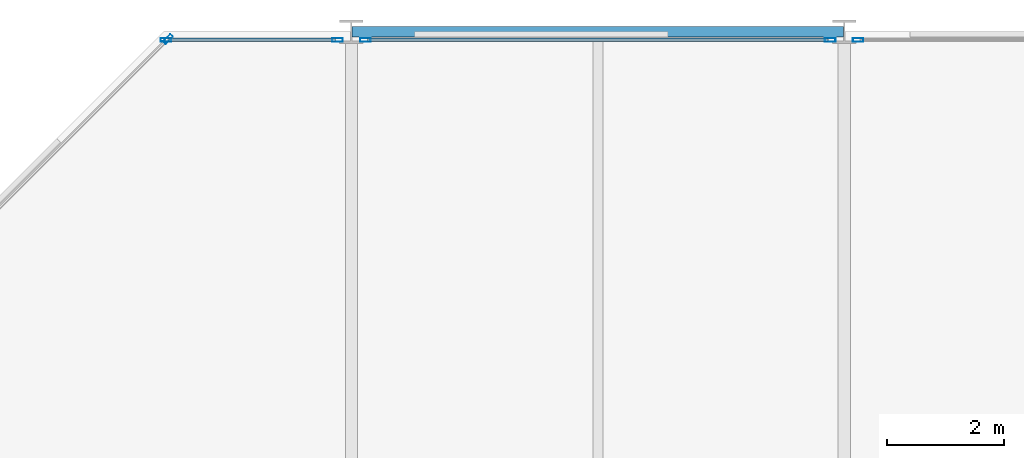
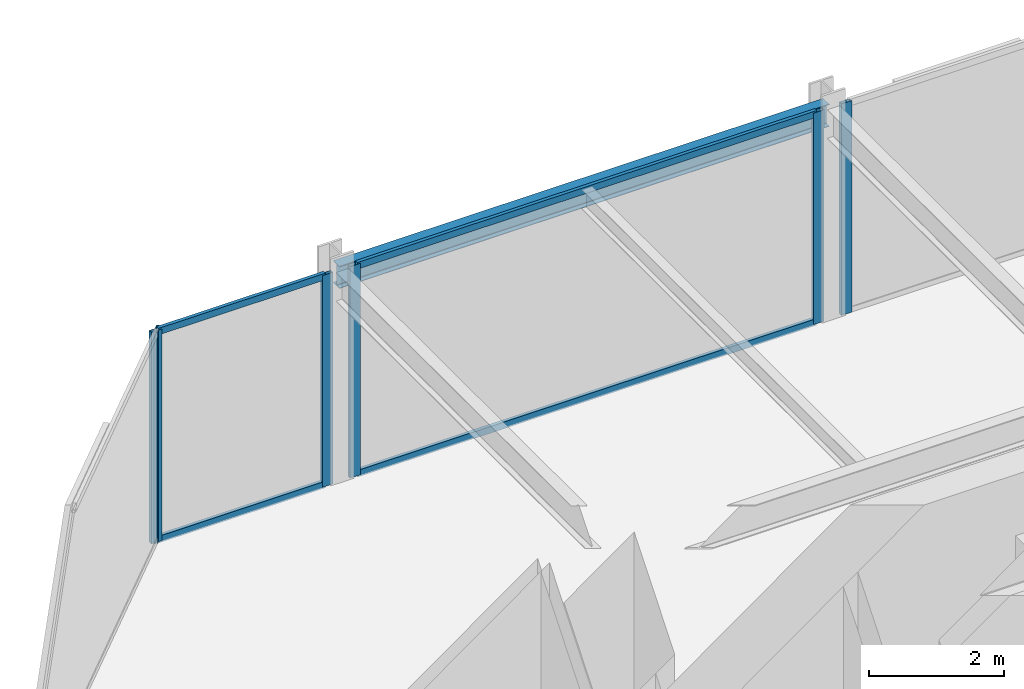
# One storey, part 21 of 29: 10 members, 1 beam, 4 elements without a shape of their own.
"""IFC4 building model written with IfcOpenShell, lengths in metres."""

from ifc_helpers import new_model, si_unit, direction, frame, origin, origin_2d, place, context, subcontext, project, spatial, hollow_rectangle, i_section, extrude, material, layer, layer_set, material_profile, profile_set, type_object, element, aggregate, save


model = new_model("IFC4")

# Units and contexts
model_context = context("Model", 3, precision=1e-05, world=origin(), true_north=direction((0.0, 1.0)))
body_context = subcontext(model_context, "Body", "Model", "MODEL_VIEW")
ifc_project = project(units=[si_unit("LENGTHUNIT", "METRE"), si_unit("AREAUNIT", "SQUARE_METRE"), si_unit("VOLUMEUNIT", "CUBIC_METRE"), si_unit("PLANEANGLEUNIT", "RADIAN"), si_unit("MASSUNIT", "GRAM", prefix="KILO")], contexts=[model_context])

# Site, building, storey
site_placement = place(None, origin())
site = spatial("IfcSite", under=ifc_project, at=site_placement, CompositionType="ELEMENT")
building_placement = place(site_placement, origin())
building = spatial("IfcBuilding", under=site, at=building_placement, Name="Nerrivon Quay Data Exchange", CompositionType="ELEMENT")
storey_placement = place(building_placement, frame((0.0, 0.0, 137.699951171875)))
storey = spatial("IfcBuildingStorey", under=building, at=storey_placement, Name="L32", CompositionType="ELEMENT", Elevation=137.699951171875)

# Beam
ifc_material_1 = material(Name="Steel Grade 350", Category="steel")
ifc_material_profile_1 = material_profile(ifc_material_1, i_section(OverallWidth=0.177978515625, OverallDepth=0.403076171875, WebThickness=0.007568359375, FlangeThickness=0.010986328125, FilletRadius=0.011474609375, at=origin_2d()), Name="410UB53.7")
ifc_profile_set_1 = profile_set([ifc_material_profile_1], Name="Steel Grade 350")
beam_type = type_object("IfcBeamType", Name="BM-SP2-410UB54", PredefinedType="SPANDREL", material=ifc_profile_set_1)
beam_placement = place(storey_placement, frame((8.41259765625, 50.39990234375, 3.62353515625), z_axis=(1.0, 0.0, 0.0), x_axis=(0.0, 1.0, 0.0)))
element("IfcBeam", 1, at=beam_placement, inside=storey, type_object=beam_type, Name="L32 EW Girder Y=50.4 (8.4..16.8)", PredefinedType="SPANDREL", context=body_context, shape_type="SweptSolid", body=[
    extrude(i_section(OverallWidth=0.177978515625, OverallDepth=0.403076171875, WebThickness=0.007568359375, FlangeThickness=0.010986328125, FilletRadius=0.011474609375, at=origin_2d()), origin(), (0.0, 0.0, 1.0), 8.375),
])

# Curtain wall, member
ifc_material_2 = material(Name="Anodised aluminium 6063-T6", Category="aluminium")
ifc_layer = layer(ifc_material_2, 0.2099609375)
ifc_layer_set = layer_set([ifc_layer], Name="Anodised aluminium 6063-T6")
curtain_wall_type = type_object("IfcCurtainWallType", Name="CW-SYS-02", PredefinedType="NOTDEFINED", material=ifc_layer_set)
curtain_wall_1_placement = place(storey_placement, origin())
curtain_wall_1 = element("IfcCurtainWall", 2, at=curtain_wall_1_placement, inside=storey, type_object=curtain_wall_type, Name="L32 Unitised Curtain Wall 17", PredefinedType="NOTDEFINED")
ifc_material_profile_2 = material_profile(ifc_material_2, hollow_rectangle(XDim=0.06494140625, YDim=0.179931640625, WallThickness=0.00341796875, at=origin_2d()), Name="ALU-MULL-180x65")
ifc_profile_set_2 = profile_set([ifc_material_profile_2], Name="Anodised aluminium 6063-T6")
member_type_1 = type_object("IfcMemberType", Name="CWM-180x65", PredefinedType="MULLION", material=ifc_profile_set_2)
member_1_placement = place(storey_placement, frame((5.2724609375, 50.2744140625, 0.0), z_axis=(0.0, 0.0, 1.0), x_axis=(-0.707106781187, 0.707106781187, 0.0)))
member_1 = element("IfcMember", 3, at=member_1_placement, type_object=member_type_1, Name="CW02 mullion 2", PredefinedType="MULLION", context=body_context, shape_type="SweptSolid", body=[
    extrude(hollow_rectangle(XDim=0.06494140625, YDim=0.179931640625, WallThickness=0.00341796875, at=origin_2d()), origin(), (0.0, 0.0, 1.0), 3.824951171875),
])
aggregate(curtain_wall_1, [member_1])

# Curtain wall, members
curtain_wall_2_placement = place(storey_placement, origin())
curtain_wall_2 = element("IfcCurtainWall", 4, at=curtain_wall_2_placement, inside=storey, type_object=curtain_wall_type, Name="L32 Unitised Curtain Wall 18", PredefinedType="NOTDEFINED")
member_2_placement = place(storey_placement, frame((5.237548828125, 50.260009765625, 0.0), z_axis=(0.0, 0.0, 1.0), x_axis=(0.0, 1.0, 0.0)))
member_2 = element("IfcMember", 5, at=member_2_placement, type_object=member_type_1, Name="CW02 mullion 1", PredefinedType="MULLION", context=body_context, shape_type="SweptSolid", body=[
    extrude(hollow_rectangle(XDim=0.06494140625, YDim=0.179931640625, WallThickness=0.00341796875, at=origin_2d()), origin(), (0.0, 0.0, 1.0), 3.824951171875),
])
member_3_placement = place(storey_placement, frame((8.16259765625, 50.260009765625, 0.0), z_axis=(0.0, 0.0, 1.0), x_axis=(0.0, 1.0, 0.0)))
member_3 = element("IfcMember", 6, at=member_3_placement, type_object=member_type_1, Name="CW02 mullion 2", PredefinedType="MULLION", context=body_context, shape_type="SweptSolid", body=[
    extrude(hollow_rectangle(XDim=0.06494140625, YDim=0.179931640625, WallThickness=0.00341796875, at=origin_2d()), origin(), (0.0, 0.0, 1.0), 3.824951171875),
])

curtain_wall_3_placement = place(storey_placement, origin())
curtain_wall_3 = element("IfcCurtainWall", 7, at=curtain_wall_3_placement, inside=storey, type_object=curtain_wall_type, Name="L32 Unitised Curtain Wall 19", PredefinedType="NOTDEFINED")
member_4_placement = place(storey_placement, frame((8.637451171875, 50.260009765625, 0.0), z_axis=(0.0, 0.0, 1.0), x_axis=(0.0, 1.0, 0.0)))
member_4 = element("IfcMember", 8, at=member_4_placement, type_object=member_type_1, Name="CW02 mullion 1", PredefinedType="MULLION", context=body_context, shape_type="SweptSolid", body=[
    extrude(hollow_rectangle(XDim=0.06494140625, YDim=0.179931640625, WallThickness=0.00341796875, at=origin_2d()), origin(), (0.0, 0.0, 1.0), 3.824951171875),
])
member_5_placement = place(storey_placement, frame((16.5625, 50.260009765625, 0.0), z_axis=(0.0, 0.0, 1.0), x_axis=(0.0, 1.0, 0.0)))
member_5 = element("IfcMember", 9, at=member_5_placement, type_object=member_type_1, Name="CW02 mullion 2", PredefinedType="MULLION", context=body_context, shape_type="SweptSolid", body=[
    extrude(hollow_rectangle(XDim=0.06494140625, YDim=0.179931640625, WallThickness=0.00341796875, at=origin_2d()), origin(), (0.0, 0.0, 1.0), 3.824951171875),
])

# Curtain wall, member
curtain_wall_4_placement = place(storey_placement, origin())
curtain_wall_4 = element("IfcCurtainWall", 10, at=curtain_wall_4_placement, inside=storey, type_object=curtain_wall_type, Name="L32 Unitised Curtain Wall 20", PredefinedType="NOTDEFINED")
member_6_placement = place(storey_placement, frame((17.03759765625, 50.260009765625, 0.0), z_axis=(0.0, 0.0, 1.0), x_axis=(0.0, 1.0, 0.0)))
member_6 = element("IfcMember", 11, at=member_6_placement, type_object=member_type_1, Name="CW02 mullion 1", PredefinedType="MULLION", context=body_context, shape_type="SweptSolid", body=[
    extrude(hollow_rectangle(XDim=0.06494140625, YDim=0.179931640625, WallThickness=0.00341796875, at=origin_2d()), origin(), (0.0, 0.0, 1.0), 3.824951171875),
])
aggregate(curtain_wall_4, [member_6])

# Member
ifc_material_profile_3 = material_profile(ifc_material_2, hollow_rectangle(XDim=0.06005859375, YDim=0.1201171875, WallThickness=0.003173828125, at=origin_2d()), Name="ALU-TRAN-120x60")
ifc_profile_set_3 = profile_set([ifc_material_profile_3], Name="Anodised aluminium 6063-T6")
member_type_2 = type_object("IfcMemberType", Name="CWT-120x60", PredefinedType="USERDEFINED", material=ifc_profile_set_3)
member_7_placement = place(storey_placement, frame((5.27490234375, 50.260009765625, 0.032470703125), z_axis=(1.0, 0.0, 0.0), x_axis=(0.0, 1.0, 0.0)))
member_7 = element("IfcMember", 12, at=member_7_placement, type_object=member_type_2, Name="CW02 transom 1.1", ObjectType="TRANSOM", PredefinedType="USERDEFINED", context=body_context, shape_type="SweptSolid", body=[
    extrude(hollow_rectangle(XDim=0.06005859375, YDim=0.1201171875, WallThickness=0.003173828125, at=origin_2d()), origin(), (0.0, 0.0, 1.0), 2.85009765625),
])

member_8_placement = place(storey_placement, frame((5.27490234375, 50.260009765625, 3.79248046875), z_axis=(1.0, 0.0, 0.0), x_axis=(0.0, 1.0, 0.0)))
member_8 = element("IfcMember", 13, at=member_8_placement, type_object=member_type_2, Name="CW02 transom 1.2", ObjectType="TRANSOM", PredefinedType="USERDEFINED", context=body_context, shape_type="SweptSolid", body=[
    extrude(hollow_rectangle(XDim=0.06005859375, YDim=0.1201171875, WallThickness=0.003173828125, at=origin_2d()), origin(), (0.0, 0.0, 1.0), 2.85009765625),
])

aggregate(curtain_wall_2, [member_2, member_3, member_7, member_8])

member_9_placement = place(storey_placement, frame((8.675048828125, 50.260009765625, 0.032470703125), z_axis=(1.0, 0.0, 0.0), x_axis=(0.0, 1.0, 0.0)))
member_9 = element("IfcMember", 14, at=member_9_placement, type_object=member_type_2, Name="CW02 transom 1.1", ObjectType="TRANSOM", PredefinedType="USERDEFINED", context=body_context, shape_type="SweptSolid", body=[
    extrude(hollow_rectangle(XDim=0.06005859375, YDim=0.1201171875, WallThickness=0.003173828125, at=origin_2d()), origin(), (0.0, 0.0, 1.0), 7.849853515625),
])

member_10_placement = place(storey_placement, frame((8.675048828125, 50.260009765625, 3.79248046875), z_axis=(1.0, 0.0, 0.0), x_axis=(0.0, 1.0, 0.0)))
member_10 = element("IfcMember", 15, at=member_10_placement, type_object=member_type_2, Name="CW02 transom 1.2", ObjectType="TRANSOM", PredefinedType="USERDEFINED", context=body_context, shape_type="SweptSolid", body=[
    extrude(hollow_rectangle(XDim=0.06005859375, YDim=0.1201171875, WallThickness=0.003173828125, at=origin_2d()), origin(), (0.0, 0.0, 1.0), 7.849853515625),
])

aggregate(curtain_wall_3, [member_4, member_5, member_9, member_10])

save(model, "model.ifc")
